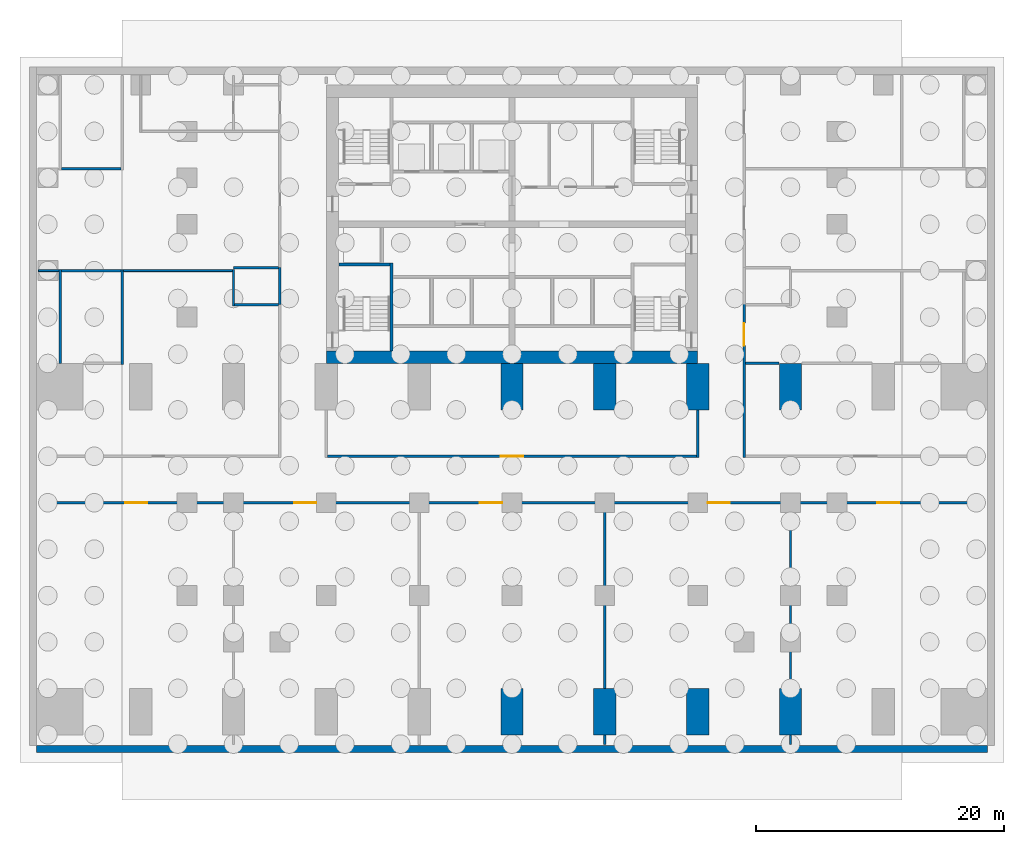
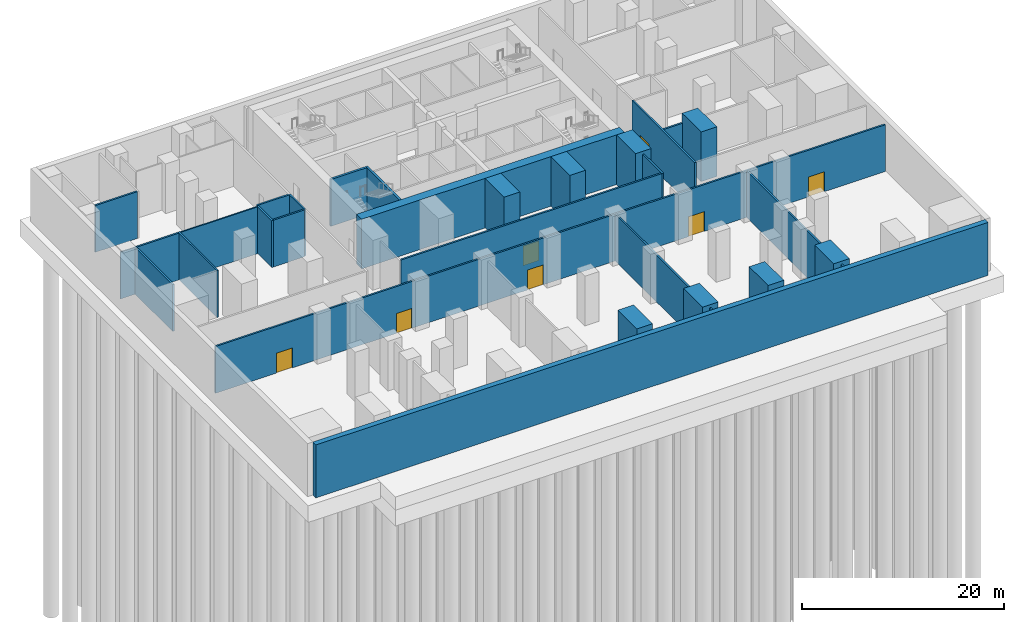
# One storey, part 4 of 9: 31 walls, 7 doors, 7 openings.
"""IFC4 building model written with IfcOpenShell, lengths in metres."""

from ifc_helpers import new_model, si_unit, direction, frame, frame_2d, origin, place, context, subcontext, project, spatial, rectangle, extrude, material, layer, layer_set, type_object, element, fill, save


model = new_model("IFC4")

# Units and contexts
model_context = context("Model", 3, precision=1e-05, world=origin(), true_north=direction((0.0, 1.0)))
body_context = subcontext(model_context, "Body", "Model", "MODEL_VIEW")
ifc_project = project(units=[si_unit("LENGTHUNIT", "METRE"), si_unit("AREAUNIT", "SQUARE_METRE"), si_unit("VOLUMEUNIT", "CUBIC_METRE"), si_unit("PLANEANGLEUNIT", "RADIAN"), si_unit("MASSUNIT", "GRAM", prefix="KILO")], contexts=[model_context])

# Site, building, storey
site_placement = place(None, origin())
site = spatial("IfcSite", under=ifc_project, at=site_placement, CompositionType="ELEMENT")
building_placement = place(site_placement, origin())
building = spatial("IfcBuilding", under=site, at=building_placement, Name="Pilkhan Gate Tower", CompositionType="ELEMENT")
storey_placement = place(building_placement, frame((0.0, 0.0, -6.0)))
storey = spatial("IfcBuildingStorey", under=building, at=storey_placement, Name="B1", CompositionType="ELEMENT", Elevation=-6.0)

# Walls
ifc_material_1 = material(Name="Concrete C70/85", Category="concrete")
ifc_layer_1 = layer(ifc_material_1, 1.800048828125)
ifc_layer_set_1 = layer_set([ifc_layer_1], Name="Arch pier AP1800 C70/85")
wall_type_1 = type_object("IfcWallType", Name="Arch pier AP1800 C70/85", PredefinedType="SHEAR", material=ifc_layer_set_1)
for number, where, z_axis, x_axis, name in (
    (1, (75.0, 41.25, 0.0), (0.0, 0.0, 1.0), (0.0, 1.0, 0.0), "Arch pier S+0 B1"),
    (2, (75.0, 67.5, 0.0), (0.0, 0.0, 1.0), (0.0, 1.0, 0.0), "Arch pier N+0 B1"),
    (3, (82.5, 41.25, 0.0), (0.0, 0.0, 1.0), (0.0, 1.0, 0.0), "Arch pier S+1 B1"),
    (4, (82.5, 67.5, 0.0), (0.0, 0.0, 1.0), (0.0, 1.0, 0.0), "Arch pier N+1 B1"),
    (5, (90.0, 41.25, 0.0), (0.0, 0.0, 1.0), (0.0, 1.0, 0.0), "Arch pier S+2 B1"),
    (6, (90.0, 67.5, 0.0), (0.0, 0.0, 1.0), (0.0, 1.0, 0.0), "Arch pier N+2 B1"),
    (7, (97.5, 41.25, 0.0), (0.0, 0.0, 1.0), (0.0, 1.0, 0.0), "Arch pier S+3 B1"),
    (8, (97.5, 67.5, 0.0), (0.0, 0.0, 1.0), (0.0, 1.0, 0.0), "Arch pier N+3 B1"),
):
    element("IfcWall", number, at=place(storey_placement, frame(where, z_axis=z_axis, x_axis=x_axis)), inside=storey, type_object=wall_type_1, Name=name, PredefinedType="SHEAR", context=body_context, shape_type="SweptSolid", body=[
        extrude(rectangle(XDim=3.75, YDim=1.800048828125, at=frame_2d((1.875, 0.0))), origin(), (0.0, 0.0, 1.0), 6.0),
    ])
ifc_layer_2 = layer(ifc_material_1, 1.0)
ifc_layer_set_2 = layer_set([ifc_layer_2], Name="Core wall CW1000 C70/85")
wall_type_2 = type_object("IfcWallType", Name="Core wall CW1000 C70/85", PredefinedType="SHEAR", material=ifc_layer_set_2)
wall_1_placement = place(storey_placement, frame((60.0, 71.75, 0.0), z_axis=(0.0, 0.0, 1.0), x_axis=(1.0, 0.0, 0.0)))
element("IfcWall", 9, at=wall_1_placement, inside=storey, type_object=wall_type_2, Name="Core wall S B1", PredefinedType="SHEAR", context=body_context, shape_type="SweptSolid", body=[
    extrude(rectangle(XDim=30.0, YDim=1.0, at=frame_2d((15.0, 0.0))), origin(), (0.0, 0.0, 1.0), 6.0),
])

# Wall, openings, doors
ifc_material_2 = material(Name="Dense blockwork", Category="masonry")
ifc_layer_3 = layer(ifc_material_2, 0.199951171875)
ifc_layer_set_3 = layer_set([ifc_layer_3], Name="Lobby wall LW200")
wall_type_3 = type_object("IfcWallType", Name="Lobby wall LW200", PredefinedType="PARTITIONING", material=ifc_layer_set_3)
wall_2_placement = place(storey_placement, frame((36.735107421875, 60.0, 0.0), z_axis=(0.0, 0.0, 1.0), x_axis=(1.0, 0.0, 0.0)))
wall_2 = element("IfcWall", 10, at=wall_2_placement, inside=storey, type_object=wall_type_3, Name="Partition B1", PredefinedType="PARTITIONING", context=body_context, shape_type="SweptSolid", body=[
    extrude(rectangle(XDim=76.52978515625, YDim=0.199951171875, at=frame_2d((38.264892578125, 0.0))), origin(), (0.0, 0.0, 1.0), 5.64990234375),
])
opening_1_placement = place(wall_2_placement, frame((7.0, 0.0, 0.0)))
opening_1 = element("IfcOpeningElement", 11, at=opening_1_placement, cuts=wall_2, Name="Opening B1-12", PredefinedType="OPENING", context=body_context, shape_type="SweptSolid", body=[
    extrude(rectangle(XDim=1.800048828125, YDim=2.39990234375, at=frame_2d((0.89990234375, 1.199951171875))), frame((0.0, 0.10986328125, 0.0), z_axis=(0.0, -1.0, 0.0), x_axis=(1.0, 0.0, 0.0)), (0.0, 0.0, 1.0), 0.219970703125),
])
opening_2_placement = place(wall_2_placement, frame((20.6650390625, 0.0, 0.0)))
opening_2 = element("IfcOpeningElement", 12, at=opening_2_placement, cuts=wall_2, Name="Opening B1-13", PredefinedType="OPENING", context=body_context, shape_type="SweptSolid", body=[
    extrude(rectangle(XDim=1.800048828125, YDim=2.39990234375, at=frame_2d((0.89990234375, 1.199951171875))), frame((0.0, 0.10986328125, 0.0), z_axis=(0.0, -1.0, 0.0), x_axis=(1.0, 0.0, 0.0)), (0.0, 0.0, 1.0), 0.219970703125),
])
opening_3_placement = place(wall_2_placement, frame((35.6650390625, 0.0, 0.0)))
opening_3 = element("IfcOpeningElement", 13, at=opening_3_placement, cuts=wall_2, Name="Opening B1-14", PredefinedType="OPENING", context=body_context, shape_type="SweptSolid", body=[
    extrude(rectangle(XDim=1.800048828125, YDim=2.39990234375, at=frame_2d((0.89990234375, 1.199951171875))), frame((0.0, 0.10986328125, 0.0), z_axis=(0.0, -1.0, 0.0), x_axis=(1.0, 0.0, 0.0)), (0.0, 0.0, 1.0), 0.219970703125),
])
opening_4_placement = place(wall_2_placement, frame((54.06494140625, 0.0, 0.0)))
opening_4 = element("IfcOpeningElement", 14, at=opening_4_placement, cuts=wall_2, Name="Opening B1-15", PredefinedType="OPENING", context=body_context, shape_type="SweptSolid", body=[
    extrude(rectangle(XDim=1.800048828125, YDim=2.39990234375, at=frame_2d((0.89990234375, 1.199951171875))), frame((0.0, 0.10986328125, 0.0), z_axis=(0.0, -1.0, 0.0), x_axis=(1.0, 0.0, 0.0)), (0.0, 0.0, 1.0), 0.219970703125),
])
opening_5_placement = place(wall_2_placement, frame((67.764892578125, 0.0, 0.0)))
opening_5 = element("IfcOpeningElement", 15, at=opening_5_placement, cuts=wall_2, Name="Opening B1-16", PredefinedType="OPENING", context=body_context, shape_type="SweptSolid", body=[
    extrude(rectangle(XDim=1.800048828125, YDim=2.39990234375, at=frame_2d((0.89990234375, 1.199951171875))), frame((0.0, 0.10986328125, 0.0), z_axis=(0.0, -1.0, 0.0), x_axis=(1.0, 0.0, 0.0)), (0.0, 0.0, 1.0), 0.219970703125),
])
ifc_material_3 = material(Name="Steel door, 120 minute fire resisting", Category="steel")
door_type = type_object("IfcDoorType", Name="Plant room door D08 1800x2400", OperationType="DOUBLE_DOOR_SINGLE_SWING", PredefinedType="DOOR", material=ifc_material_3)
door_1_placement = place(opening_1_placement, origin())
door_1 = element("IfcDoor", 16, at=door_1_placement, inside=storey, type_object=door_type, Name="Plant room door", OperationType="DOUBLE_DOOR_SINGLE_SWING", OverallHeight=2.39990234375, OverallWidth=1.800048828125, PredefinedType="DOOR", context=body_context, shape_type="SweptSolid", body=[
    extrude(rectangle(XDim=1.800048828125, YDim=2.39990234375, at=frame_2d((0.89990234375, 1.199951171875))), frame((0.0, 0.02490234375, 0.0), z_axis=(0.0, -1.0, 0.0), x_axis=(1.0, 0.0, 0.0)), (0.0, 0.0, 1.0), 0.050048828125),
])
fill(opening_1, door_1)
door_2_placement = place(opening_2_placement, origin())
door_2 = element("IfcDoor", 17, at=door_2_placement, inside=storey, type_object=door_type, Name="Plant room door", OperationType="DOUBLE_DOOR_SINGLE_SWING", OverallHeight=2.39990234375, OverallWidth=1.800048828125, PredefinedType="DOOR", context=body_context, shape_type="SweptSolid", body=[
    extrude(rectangle(XDim=1.800048828125, YDim=2.39990234375, at=frame_2d((0.89990234375, 1.199951171875))), frame((0.0, 0.02490234375, 0.0), z_axis=(0.0, -1.0, 0.0), x_axis=(1.0, 0.0, 0.0)), (0.0, 0.0, 1.0), 0.050048828125),
])
fill(opening_2, door_2)
door_3_placement = place(opening_3_placement, origin())
door_3 = element("IfcDoor", 18, at=door_3_placement, inside=storey, type_object=door_type, Name="Plant room door", OperationType="DOUBLE_DOOR_SINGLE_SWING", OverallHeight=2.39990234375, OverallWidth=1.800048828125, PredefinedType="DOOR", context=body_context, shape_type="SweptSolid", body=[
    extrude(rectangle(XDim=1.800048828125, YDim=2.39990234375, at=frame_2d((0.89990234375, 1.199951171875))), frame((0.0, 0.02490234375, 0.0), z_axis=(0.0, -1.0, 0.0), x_axis=(1.0, 0.0, 0.0)), (0.0, 0.0, 1.0), 0.050048828125),
])
fill(opening_3, door_3)
door_4_placement = place(opening_4_placement, origin())
door_4 = element("IfcDoor", 19, at=door_4_placement, inside=storey, type_object=door_type, Name="Plant room door", OperationType="DOUBLE_DOOR_SINGLE_SWING", OverallHeight=2.39990234375, OverallWidth=1.800048828125, PredefinedType="DOOR", context=body_context, shape_type="SweptSolid", body=[
    extrude(rectangle(XDim=1.800048828125, YDim=2.39990234375, at=frame_2d((0.89990234375, 1.199951171875))), frame((0.0, 0.02490234375, 0.0), z_axis=(0.0, -1.0, 0.0), x_axis=(1.0, 0.0, 0.0)), (0.0, 0.0, 1.0), 0.050048828125),
])
fill(opening_4, door_4)
door_5_placement = place(opening_5_placement, origin())
door_5 = element("IfcDoor", 20, at=door_5_placement, inside=storey, type_object=door_type, Name="Plant room door", OperationType="DOUBLE_DOOR_SINGLE_SWING", OverallHeight=2.39990234375, OverallWidth=1.800048828125, PredefinedType="DOOR", context=body_context, shape_type="SweptSolid", body=[
    extrude(rectangle(XDim=1.800048828125, YDim=2.39990234375, at=frame_2d((0.89990234375, 1.199951171875))), frame((0.0, 0.02490234375, 0.0), z_axis=(0.0, -1.0, 0.0), x_axis=(1.0, 0.0, 0.0)), (0.0, 0.0, 1.0), 0.050048828125),
])
fill(opening_5, door_5)

# Wall, opening, door
wall_3_placement = place(storey_placement, frame((60.10009765625, 63.75, 0.0), z_axis=(0.0, 0.0, 1.0), x_axis=(1.0, 0.0, 0.0)))
wall_3 = element("IfcWall", 21, at=wall_3_placement, inside=storey, type_object=wall_type_3, Name="Partition B1", PredefinedType="PARTITIONING", context=body_context, shape_type="SweptSolid", body=[
    extrude(rectangle(XDim=29.7998046875, YDim=0.199951171875, at=frame_2d((14.89990234375, 0.0))), origin(), (0.0, 0.0, 1.0), 5.64990234375),
])
opening_6_placement = place(wall_3_placement, frame((14.0, 0.0, 0.0)))
opening_6 = element("IfcOpeningElement", 22, at=opening_6_placement, cuts=wall_3, Name="Opening B1-22", PredefinedType="OPENING", context=body_context, shape_type="SweptSolid", body=[
    extrude(rectangle(XDim=1.800048828125, YDim=2.39990234375, at=frame_2d((0.89990234375, 1.199951171875))), frame((0.0, 0.10986328125, 0.0), z_axis=(0.0, -1.0, 0.0), x_axis=(1.0, 0.0, 0.0)), (0.0, 0.0, 1.0), 0.219970703125),
])
door_6_placement = place(opening_6_placement, origin())
door_6 = element("IfcDoor", 23, at=door_6_placement, inside=storey, type_object=door_type, Name="Plant room door", OperationType="DOUBLE_DOOR_SINGLE_SWING", OverallHeight=2.39990234375, OverallWidth=1.800048828125, PredefinedType="DOOR", context=body_context, shape_type="SweptSolid", body=[
    extrude(rectangle(XDim=1.800048828125, YDim=2.39990234375, at=frame_2d((0.89990234375, 1.199951171875))), frame((0.0, 0.02490234375, 0.0), z_axis=(0.0, -1.0, 0.0), x_axis=(1.0, 0.0, 0.0)), (0.0, 0.0, 1.0), 0.050048828125),
])
fill(opening_6, door_6)

# Walls
wall_4_placement = place(storey_placement, frame((93.85009765625, 71.25, 0.0), z_axis=(0.0, 0.0, 1.0), x_axis=(1.0, 0.0, 0.0)))
element("IfcWall", 24, at=wall_4_placement, inside=storey, type_object=wall_type_3, Name="Partition B1", PredefinedType="PARTITIONING", context=body_context, shape_type="SweptSolid", body=[
    extrude(rectangle(XDim=2.739990234375, YDim=0.199951171875, at=frame_2d((1.3701171875, 0.0))), origin(), (0.0, 0.0, 1.0), 4.85009765625),
])
for number, where, z_axis, x_axis, name in (
    (25, (38.60009765625, 78.75, 0.0), (0.0, 0.0, 1.0), (1.0, 0.0, 0.0), "Partition B1"),
    (26, (38.60009765625, 87.0, 0.0), (0.0, 0.0, 1.0), (1.0, 0.0, 0.0), "Partition B1"),
):
    element("IfcWall", number, at=place(storey_placement, frame(where, z_axis=z_axis, x_axis=x_axis)), inside=storey, type_object=wall_type_3, Name=name, PredefinedType="PARTITIONING", context=body_context, shape_type="SweptSolid", body=[
        extrude(rectangle(XDim=4.7998046875, YDim=0.199951171875, at=frame_2d((2.39990234375, 0.0))), origin(), (0.0, 0.0, 1.0), 5.64990234375),
    ])
wall_5_placement = place(storey_placement, frame((38.5, 71.260009765625, 0.0), z_axis=(0.0, 0.0, 1.0), x_axis=(0.0, 1.0, 0.0)))
element("IfcWall", 27, at=wall_5_placement, inside=storey, type_object=wall_type_3, Name="Partition B1", PredefinedType="PARTITIONING", context=body_context, shape_type="SweptSolid", body=[
    extrude(rectangle(XDim=7.590087890625, YDim=0.199951171875, at=frame_2d((3.794921875, 0.0))), origin(), (0.0, 0.0, 1.0), 5.64990234375),
])
wall_6_placement = place(storey_placement, frame((43.5, 71.14990234375, 0.0), z_axis=(0.0, 0.0, 1.0), x_axis=(0.0, 1.0, 0.0)))
element("IfcWall", 28, at=wall_6_placement, inside=storey, type_object=wall_type_3, Name="Partition B1", PredefinedType="PARTITIONING", context=body_context, shape_type="SweptSolid", body=[
    extrude(rectangle(XDim=7.7001953125, YDim=0.199951171875, at=frame_2d((3.85009765625, 0.0))), origin(), (0.0, 0.0, 1.0), 5.64990234375),
])
wall_7_placement = place(storey_placement, frame((82.5, 40.485107421875, 0.0), z_axis=(0.0, 0.0, 1.0), x_axis=(0.0, 1.0, 0.0)))
element("IfcWall", 29, at=wall_7_placement, inside=storey, type_object=wall_type_3, Name="Partition B1", PredefinedType="PARTITIONING", context=body_context, shape_type="SweptSolid", body=[
    extrude(rectangle(XDim=0.7548828125, YDim=0.199951171875, at=frame_2d((0.37744140625, 0.0))), origin(), (0.0, 0.0, 1.0), 5.64990234375),
])
wall_8_placement = place(storey_placement, frame((82.5, 45.010009765625, 0.0), z_axis=(0.0, 0.0, 1.0), x_axis=(0.0, 1.0, 0.0)))
element("IfcWall", 30, at=wall_8_placement, inside=storey, type_object=wall_type_3, Name="Partition B1", PredefinedType="PARTITIONING", context=body_context, shape_type="SweptSolid", body=[
    extrude(rectangle(XDim=14.889892578125, YDim=0.199951171875, at=frame_2d((7.44482421875, 0.0))), origin(), (0.0, 0.0, 1.0), 5.64990234375),
])
wall_9_placement = place(storey_placement, frame((90.0, 63.64990234375, 0.0), z_axis=(0.0, 0.0, 1.0), x_axis=(0.0, 1.0, 0.0)))
element("IfcWall", 31, at=wall_9_placement, inside=storey, type_object=wall_type_3, Name="Partition B1", PredefinedType="PARTITIONING", context=body_context, shape_type="SweptSolid", body=[
    extrude(rectangle(XDim=3.840087890625, YDim=0.199951171875, at=frame_2d((1.919921875, 0.0))), origin(), (0.0, 0.0, 1.0), 5.64990234375),
])

# Wall, opening, door
wall_10_placement = place(storey_placement, frame((93.75, 63.64990234375, 0.0), z_axis=(0.0, 0.0, 1.0), x_axis=(0.0, 1.0, 0.0)))
wall_10 = element("IfcWall", 32, at=wall_10_placement, inside=storey, type_object=wall_type_3, Name="Partition B1", PredefinedType="PARTITIONING", context=body_context, shape_type="SweptSolid", body=[
    extrude(rectangle(XDim=12.4501953125, YDim=0.199951171875, at=frame_2d((6.22509765625, 0.0))), origin(), (0.0, 0.0, 1.0), 5.64990234375),
])
opening_7_placement = place(wall_10_placement, frame((9.050048828125, 0.0, 0.0)))
opening_7 = element("IfcOpeningElement", 33, at=opening_7_placement, cuts=wall_10, Name="Opening B1-23", PredefinedType="OPENING", context=body_context, shape_type="SweptSolid", body=[
    extrude(rectangle(XDim=1.800048828125, YDim=2.39990234375, at=frame_2d((0.89990234375, 1.199951171875))), frame((0.0, 0.10986328125, 0.0), z_axis=(0.0, -1.0, 0.0), x_axis=(1.0, 0.0, 0.0)), (0.0, 0.0, 1.0), 0.219970703125),
])
door_7_placement = place(opening_7_placement, origin())
door_7 = element("IfcDoor", 34, at=door_7_placement, inside=storey, type_object=door_type, Name="Plant room door", OperationType="DOUBLE_DOOR_SINGLE_SWING", OverallHeight=2.39990234375, OverallWidth=1.800048828125, PredefinedType="DOOR", context=body_context, shape_type="SweptSolid", body=[
    extrude(rectangle(XDim=1.800048828125, YDim=2.39990234375, at=frame_2d((0.89990234375, 1.199951171875))), frame((0.0, 0.02490234375, 0.0), z_axis=(0.0, -1.0, 0.0), x_axis=(1.0, 0.0, 0.0)), (0.0, 0.0, 1.0), 0.050048828125),
])
fill(opening_7, door_7)

# Walls
wall_11_placement = place(storey_placement, frame((97.5, 40.485107421875, 0.0), z_axis=(0.0, 0.0, 1.0), x_axis=(0.0, 1.0, 0.0)))
element("IfcWall", 35, at=wall_11_placement, inside=storey, type_object=wall_type_3, Name="Partition B1", PredefinedType="PARTITIONING", context=body_context, shape_type="SweptSolid", body=[
    extrude(rectangle(XDim=0.7548828125, YDim=0.199951171875, at=frame_2d((0.37744140625, 0.0))), origin(), (0.0, 0.0, 1.0), 5.64990234375),
])
wall_12_placement = place(storey_placement, frame((97.5, 45.010009765625, 0.0), z_axis=(0.0, 0.0, 1.0), x_axis=(0.0, 1.0, 0.0)))
element("IfcWall", 36, at=wall_12_placement, inside=storey, type_object=wall_type_3, Name="Partition B1", PredefinedType="PARTITIONING", context=body_context, shape_type="SweptSolid", body=[
    extrude(rectangle(XDim=14.889892578125, YDim=0.199951171875, at=frame_2d((7.44482421875, 0.0))), origin(), (0.0, 0.0, 1.0), 5.64990234375),
])
ifc_material_4 = material(Name="Blockwork partition, plastered both sides", Category="masonry")
ifc_layer_4 = layer(ifc_material_4, 0.14990234375)
ifc_layer_set_4 = layer_set([ifc_layer_4], Name="Partition PW150")
wall_type_4 = type_object("IfcWallType", Name="Partition PW150", PredefinedType="PARTITIONING", material=ifc_layer_set_4)
wall_13_placement = place(storey_placement, frame((36.735107421875, 78.75, 0.0), z_axis=(0.0, 0.0, 1.0), x_axis=(1.0, 0.0, 0.0)))
element("IfcWall", 37, at=wall_13_placement, inside=storey, type_object=wall_type_4, Name="Partition B1", PredefinedType="PARTITIONING", context=body_context, shape_type="SweptSolid", body=[
    extrude(rectangle(XDim=1.664794921875, YDim=0.14990234375, at=frame_2d((0.83251953125, 0.0))), origin(), (0.0, 0.0, 1.0), 5.64990234375),
])
wall_14_placement = place(storey_placement, frame((43.60009765625, 78.75, 0.0), z_axis=(0.0, 0.0, 1.0), x_axis=(1.0, 0.0, 0.0)))
element("IfcWall", 38, at=wall_14_placement, inside=storey, type_object=wall_type_4, Name="Partition B1", PredefinedType="PARTITIONING", context=body_context, shape_type="SweptSolid", body=[
    extrude(rectangle(XDim=8.7998046875, YDim=0.14990234375, at=frame_2d((4.39990234375, 0.0))), origin(), (0.0, 0.0, 1.0), 5.64990234375),
])
ifc_layer_5 = layer(ifc_material_1, 0.60009765625)
ifc_layer_set_5 = layer_set([ifc_layer_5], Name="Retaining wall RW600 C70/85")
wall_type_5 = type_object("IfcWallType", Name="Retaining wall RW600 C70/85", PredefinedType="SOLIDWALL", material=ifc_layer_set_5)
wall_15_placement = place(storey_placement, frame((36.60009765625, 40.10009765625, -0.39990234375), z_axis=(0.0, 0.0, 1.0), x_axis=(1.0, 0.0, 0.0)))
element("IfcWall", 39, at=wall_15_placement, inside=storey, type_object=wall_type_5, Name="Retaining wall S", PredefinedType="SOLIDWALL", context=body_context, shape_type="SweptSolid", body=[
    extrude(rectangle(XDim=76.7998046875, YDim=0.60009765625, at=frame_2d((38.39990234375, 0.0))), origin(), (0.0, 0.0, 1.0), 6.39990234375),
])
ifc_material_5 = material(Name="Reinforced blockwork shaft wall, 120 minute fire resisting", Category="masonry")
ifc_layer_6 = layer(ifc_material_5, 0.199951171875)
ifc_layer_set_6 = layer_set([ifc_layer_6], Name="Shaft wall SW200")
wall_type_6 = type_object("IfcWallType", Name="Shaft wall SW200", PredefinedType="PARTITIONING", material=ifc_layer_set_6)
wall_16_placement = place(storey_placement, frame((52.60009765625, 76.0, 0.0), z_axis=(0.0, 0.0, 1.0), x_axis=(1.0, 0.0, 0.0)))
element("IfcWall", 40, at=wall_16_placement, inside=storey, type_object=wall_type_6, Name="Partition B1", PredefinedType="PARTITIONING", context=body_context, shape_type="SweptSolid", body=[
    extrude(rectangle(XDim=3.5498046875, YDim=0.199951171875, at=frame_2d((1.77490234375, 0.0))), origin(), (0.0, 0.0, 1.0), 5.64990234375),
])
wall_17_placement = place(storey_placement, frame((52.5, 79.0, 0.0), z_axis=(0.0, 0.0, 1.0), x_axis=(1.0, 0.0, 0.0)))
element("IfcWall", 41, at=wall_17_placement, inside=storey, type_object=wall_type_6, Name="Partition B1", PredefinedType="PARTITIONING", context=body_context, shape_type="SweptSolid", body=[
    extrude(rectangle(XDim=3.64990234375, YDim=0.199951171875, at=frame_2d((1.824951171875, 0.0))), origin(), (0.0, 0.0, 1.0), 5.64990234375),
])
wall_18_placement = place(storey_placement, frame((52.5, 75.89990234375, 0.0), z_axis=(0.0, 0.0, 1.0), x_axis=(0.0, 1.0, 0.0)))
element("IfcWall", 42, at=wall_18_placement, inside=storey, type_object=wall_type_6, Name="Partition B1", PredefinedType="PARTITIONING", context=body_context, shape_type="SweptSolid", body=[
    extrude(rectangle(XDim=2.925048828125, YDim=0.199951171875, at=frame_2d((1.46240234375, 0.0))), origin(), (0.0, 0.0, 1.0), 5.64990234375),
])
wall_19_placement = place(storey_placement, frame((56.25, 76.0, 0.0), z_axis=(0.0, 0.0, 1.0), x_axis=(0.0, 1.0, 0.0)))
element("IfcWall", 43, at=wall_19_placement, inside=storey, type_object=wall_type_6, Name="Partition B1", PredefinedType="PARTITIONING", context=body_context, shape_type="SweptSolid", body=[
    extrude(rectangle(XDim=3.0, YDim=0.199951171875, at=frame_2d((1.5, 0.0))), origin(), (0.0, 0.0, 1.0), 5.64990234375),
])
ifc_material_6 = material(Name="Reinforced blockwork, 120 minute fire resisting", Category="masonry")
ifc_layer_7 = layer(ifc_material_6, 0.25)
ifc_layer_set_7 = layer_set([ifc_layer_7], Name="Stair enclosure wall SE250")
wall_type_7 = type_object("IfcWallType", Name="Stair enclosure wall SE250", PredefinedType="PARTITIONING", material=ifc_layer_set_7)
wall_20_placement = place(storey_placement, frame((61.010009765625, 79.25, 0.0), z_axis=(0.0, 0.0, 1.0), x_axis=(1.0, 0.0, 0.0)))
element("IfcWall", 44, at=wall_20_placement, inside=storey, type_object=wall_type_7, Name="Partition B1", PredefinedType="PARTITIONING", context=body_context, shape_type="SweptSolid", body=[
    extrude(rectangle(XDim=4.114990234375, YDim=0.25, at=frame_2d((2.0576171875, 0.0))), origin(), (0.0, 0.0, 1.0), 5.64990234375),
])
wall_21_placement = place(storey_placement, frame((65.25, 72.260009765625, 0.0), z_axis=(0.0, 0.0, 1.0), x_axis=(0.0, 1.0, 0.0)))
element("IfcWall", 45, at=wall_21_placement, inside=storey, type_object=wall_type_7, Name="Partition B1", PredefinedType="PARTITIONING", context=body_context, shape_type="SweptSolid", body=[
    extrude(rectangle(XDim=7.114990234375, YDim=0.25, at=frame_2d((3.5576171875, 0.0))), origin(), (0.0, 0.0, 1.0), 5.64990234375),
])

save(model, "model.ifc")
